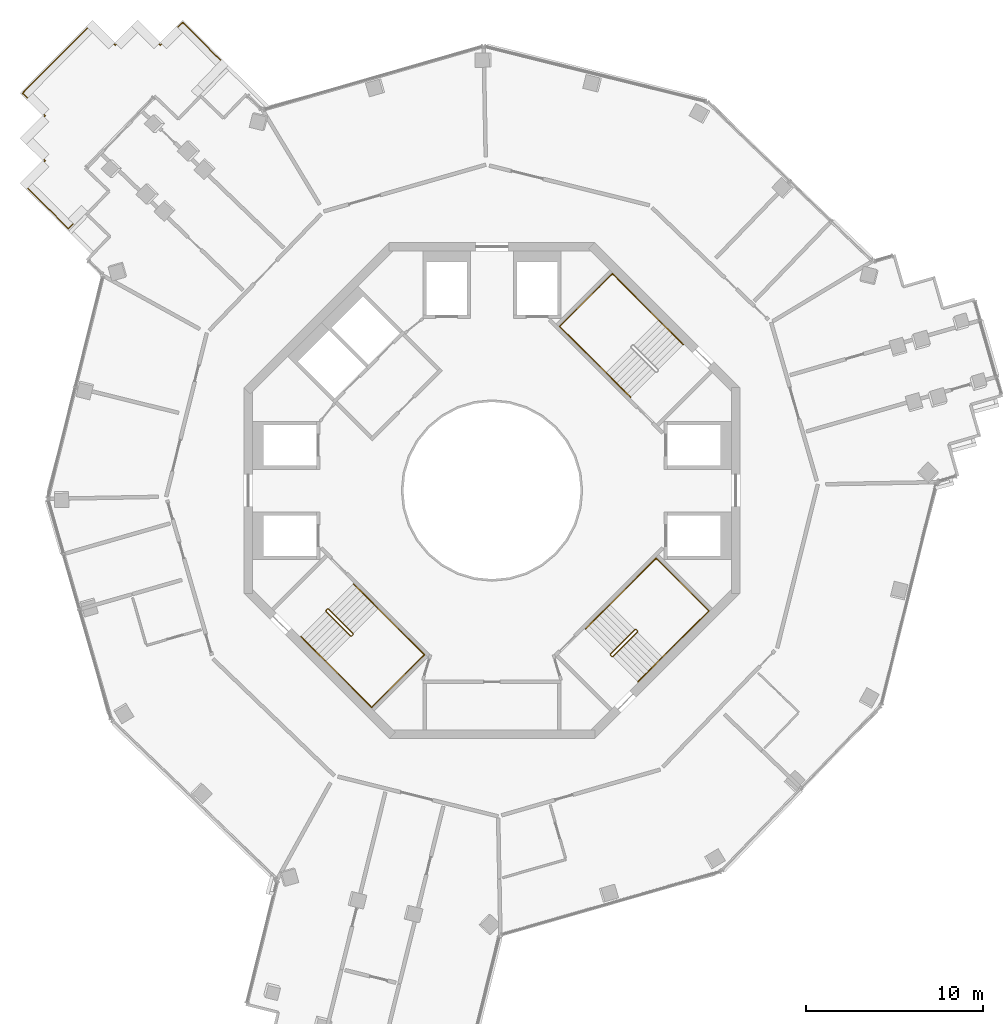
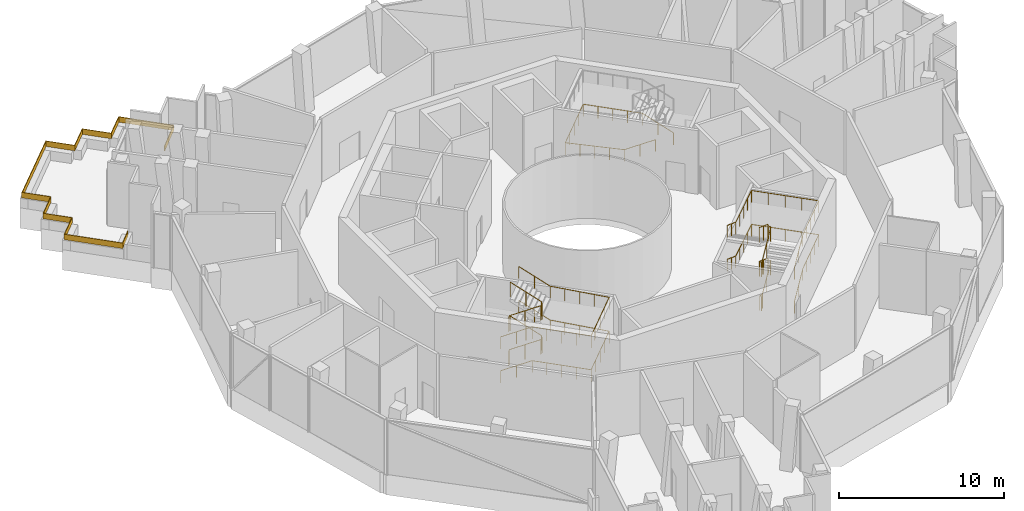
# One storey, part 16 of 17: 8 railings.
"""IFC4 building model written with IfcOpenShell, lengths in metres."""

from ifc_helpers import new_model, si_unit, direction, frame, origin, origin_2d, place, context, subcontext, project, spatial, polyline, circle, outline, extrude, material, layer, layer_set, type_object, element, save


model = new_model("IFC4")

# Units and contexts
model_context = context("Model", 3, precision=1e-05, world=origin(), true_north=direction((0.0, 1.0)))
body_context = subcontext(model_context, "Body", "Model", "MODEL_VIEW")
ifc_project = project(units=[si_unit("LENGTHUNIT", "METRE"), si_unit("AREAUNIT", "SQUARE_METRE"), si_unit("VOLUMEUNIT", "CUBIC_METRE"), si_unit("PLANEANGLEUNIT", "RADIAN"), si_unit("MASSUNIT", "GRAM", prefix="KILO")], contexts=[model_context])

# Site, building, storey
site_placement = place(None, origin())
site = spatial("IfcSite", under=ifc_project, at=site_placement, CompositionType="ELEMENT")
building_placement = place(site_placement, origin())
building = spatial("IfcBuilding", under=site, at=building_placement, Name="Verdalira Terraces Hotel", CompositionType="ELEMENT")
storey_placement = place(building_placement, frame((0.0, 0.0, 222.0)))
storey = spatial("IfcBuildingStorey", under=building, at=storey_placement, Name="L54", CompositionType="ELEMENT", Elevation=222.0)

# Railings
ifc_material_1 = material(Name="Laminated glass", Category="glass")
ifc_layer = layer(ifc_material_1, 0.0400390625)
ifc_layer_set = layer_set([ifc_layer], Name="Balcony glass guard 400")
railing_type_1 = type_object("IfcRailingType", Name="Balcony glass guard 400", PredefinedType="GUARDRAIL", material=ifc_layer_set)
railing_1_placement = place(storey_placement, frame((0.0, 0.0, 0.699951)))
element("IfcRailing", 1, at=railing_1_placement, inside=storey, type_object=railing_type_1, Name="Balcony glass guard", PredefinedType="GUARDRAIL", context=body_context, shape_type="SweptSolid", body=[
    extrude(outline(polyline([(-16.460938, 22.518311), (-15.046387, 23.987305), (-17.446289, 26.377197), (-18.716309, 25.101807), (-19.991943, 26.371826), (-21.261963, 25.096436), (-22.537354, 26.366455), (-26.460693, 22.426758), (-25.185303, 21.156738), (-26.455322, 19.881348), (-25.179932, 18.611084), (-26.449951, 17.335693), (-23.898438, 14.794678), (-22.991943, 15.736328), (-22.963135, 15.708496), (-23.897949, 14.737793), (-26.506592, 17.335449), (-25.236572, 18.611084), (-26.511963, 19.881104), (-25.241943, 21.156494), (-26.517334, 22.426758), (-22.537598, 26.423096), (-21.262207, 25.153076), (-19.991943, 26.428467), (-18.716553, 25.158447), (-17.446533, 26.433838), (-14.990234, 23.987793), (-16.432129, 22.490479), (-16.562988, 22.354736), (-16.591797, 22.382324), (-16.460938, 22.518311)])), origin(), (0.0, 0.0, 1.0), 0.400146),
])
ifc_material_2 = material(Name="Stainless steel", Category="steel")
railing_type_2 = type_object("IfcRailingType", Name="Stair guard 1100", PredefinedType="GUARDRAIL", material=ifc_material_2)
railing_2_placement = place(storey_placement, frame((-9.369141, -6.75293, 0.0)))
element("IfcRailing", 2, at=railing_2_placement, inside=storey, type_object=railing_type_2, Name="L54 ST2 stair guard 1", PredefinedType="GUARDRAIL", context=body_context, shape_type="SweptSolid", body=[
    extrude(circle(Radius=0.023926, at=origin_2d()), frame((0.0, 0.0, 1.076172), z_axis=(0.707106781, 0.707106781, 0.0), x_axis=(-0.707106781, 0.707106781, 0.0)), (0.0, 0.0, 1.0), 0.100098),
    extrude(circle(Radius=0.023926, at=origin_2d()), frame((0.070801, 0.070801, 1.076172), z_axis=(-0.318519619, -0.635940894, 0.702939849), x_axis=(0.894118129, -0.447831187, 0.0)), (0.0, 0.0, 1.0), 0.222168),
    extrude(circle(Radius=0.023926, at=origin_2d()), frame((0.0, -0.070557, 1.232422), z_axis=(0.61747733, -0.61747733, 0.48728174), x_axis=(0.707106781, 0.707106781, 0.0)), (0.0, 0.0, 1.0), 2.244629),
    extrude(circle(Radius=0.023926, at=origin_2d()), frame((1.385986, -1.456543, 2.326172), z_axis=(1.0, 0.0, 0.0), x_axis=(0.0, 1.0, 0.0)), (0.0, 0.0, 1.0), 0.070557),
    extrude(circle(Radius=0.023926, at=origin_2d()), frame((1.456543, -1.456543, 2.326172), z_axis=(0.70832698, 0.705884473, 0.0), x_axis=(-0.705884473, 0.70832698, 0.0)), (0.0, 0.0, 1.0), 0.099854),
    extrude(circle(Radius=0.023926, at=origin_2d()), frame((1.527344, -1.385986, 2.326172), z_axis=(0.0, 0.412730377, 0.910853246), x_axis=(-1.0, 0.0, 0.0)), (0.0, 0.0, 1.0), 0.171631),
    extrude(circle(Radius=0.023926, at=origin_2d()), frame((1.527344, -1.315186, 2.482422), z_axis=(-0.61747733, 0.61747733, 0.48728174), x_axis=(-0.707106781, -0.707106781, 0.0)), (0.0, 0.0, 1.0), 2.244629),
    extrude(circle(Radius=0.023926, at=origin_2d()), frame((0.141357, 0.070801, 3.576172), z_axis=(-1.0, 0.0, 0.0), x_axis=(0.0, -1.0, 0.0)), (0.0, 0.0, 1.0), 0.070557),
    extrude(circle(Radius=0.023926, at=origin_2d()), frame((0.070801, 0.070801, 3.576172), z_axis=(-0.707106781, -0.707106781, 0.0), x_axis=(0.707106781, -0.707106781, 0.0)), (0.0, 0.0, 1.0), 0.100098),
    extrude(circle(Radius=0.023926, at=origin_2d()), frame((0.0, 0.0, 3.576172), z_axis=(0.0, -0.411548567, 0.91138783), x_axis=(1.0, 0.0, 0.0)), (0.0, 0.0, 1.0), 0.171387),
    extrude(circle(Radius=0.023926, at=origin_2d()), frame((0.0, -0.070557, 3.732422), z_axis=(0.61747733, -0.61747733, 0.48728174), x_axis=(0.707106781, 0.707106781, 0.0)), (0.0, 0.0, 1.0), 2.244629),
    extrude(circle(Radius=0.023926, at=origin_2d()), frame((1.385986, -1.456543, 4.826172), z_axis=(1.0, 0.0, 0.0), x_axis=(0.0, 1.0, 0.0)), (0.0, 0.0, 1.0), 0.070557),
    extrude(circle(Radius=0.023926, at=origin_2d()), frame((1.456543, -1.456543, 4.826172), z_axis=(0.70832698, 0.705884473, 0.0), x_axis=(-0.705884473, 0.70832698, 0.0)), (0.0, 0.0, 1.0), 0.099854),
    extrude(circle(Radius=0.023926, at=origin_2d()), frame((1.527344, -1.385986, 4.826172), z_axis=(0.0, 0.412730377, 0.910853246), x_axis=(-1.0, 0.0, 0.0)), (0.0, 0.0, 1.0), 0.171631),
    extrude(circle(Radius=0.023926, at=origin_2d()), frame((1.527344, -1.315186, 4.982422), z_axis=(-0.61747733, 0.61747733, 0.48728174), x_axis=(-0.707106781, -0.707106781, 0.0)), (0.0, 0.0, 1.0), 2.244629),
    extrude(circle(Radius=0.020996, at=origin_2d()), origin(), (0.0, 0.0, 1.0), 1.052002),
    extrude(circle(Radius=0.020996, at=origin_2d()), frame((0.070801, 0.070801, 0.0)), (0.0, 0.0, 1.0), 1.052002),
    extrude(circle(Radius=0.020996, at=origin_2d()), frame((0.0, -0.070557, 0.15625)), (0.0, 0.0, 1.0), 1.052002),
    extrude(circle(Radius=0.020996, at=origin_2d()), frame((0.692871, -0.763672, 0.703125)), (0.0, 0.0, 1.0), 1.052002),
    extrude(circle(Radius=0.020996, at=origin_2d()), frame((1.385986, -1.456543, 1.25)), (0.0, 0.0, 1.0), 1.052002),
    extrude(circle(Radius=0.020996, at=origin_2d()), frame((1.456543, -1.456543, 1.25)), (0.0, 0.0, 1.0), 1.052002),
    extrude(circle(Radius=0.020996, at=origin_2d()), frame((1.527344, -1.385986, 1.25)), (0.0, 0.0, 1.0), 1.052002),
    extrude(circle(Radius=0.020996, at=origin_2d()), frame((1.527344, -1.315186, 1.40625)), (0.0, 0.0, 1.0), 1.052002),
    extrude(circle(Radius=0.020996, at=origin_2d()), frame((0.834473, -0.62207, 1.953125)), (0.0, 0.0, 1.0), 1.052002),
    extrude(circle(Radius=0.020996, at=origin_2d()), frame((0.141357, 0.070801, 2.5)), (0.0, 0.0, 1.0), 1.052002),
    extrude(circle(Radius=0.020996, at=origin_2d()), frame((0.070801, 0.070801, 2.5)), (0.0, 0.0, 1.0), 1.052002),
    extrude(circle(Radius=0.020996, at=origin_2d()), frame((0.0, 0.0, 2.5)), (0.0, 0.0, 1.0), 1.052002),
    extrude(circle(Radius=0.020996, at=origin_2d()), frame((0.0, -0.070557, 2.65625)), (0.0, 0.0, 1.0), 1.052002),
    extrude(circle(Radius=0.020996, at=origin_2d()), frame((0.692871, -0.763672, 3.203125)), (0.0, 0.0, 1.0), 1.052002),
    extrude(circle(Radius=0.020996, at=origin_2d()), frame((1.385986, -1.456543, 3.75)), (0.0, 0.0, 1.0), 1.052002),
    extrude(circle(Radius=0.020996, at=origin_2d()), frame((1.456543, -1.456543, 3.75)), (0.0, 0.0, 1.0), 1.052002),
    extrude(circle(Radius=0.020996, at=origin_2d()), frame((1.527344, -1.385986, 3.75)), (0.0, 0.0, 1.0), 1.052002),
    extrude(circle(Radius=0.020996, at=origin_2d()), frame((1.527344, -1.315186, 3.90625)), (0.0, 0.0, 1.0), 1.052002),
    extrude(circle(Radius=0.020996, at=origin_2d()), frame((0.834473, -0.62207, 4.453125)), (0.0, 0.0, 1.0), 1.052002),
    extrude(circle(Radius=0.020996, at=origin_2d()), frame((0.141357, 0.070801, 5.0)), (0.0, 0.0, 1.0), 1.052002),
])
railing_3_placement = place(storey_placement, frame((6.75293, -9.369141, 0.0)))
element("IfcRailing", 3, at=railing_3_placement, inside=storey, type_object=railing_type_2, Name="L54 ST3 stair guard 1", PredefinedType="GUARDRAIL", context=body_context, shape_type="SweptSolid", body=[
    extrude(circle(Radius=0.023926, at=origin_2d()), frame((0.0, 0.0, 1.076172), z_axis=(-0.707106781, 0.707106781, 0.0), x_axis=(-0.707106781, -0.707106781, 0.0)), (0.0, 0.0, 1.0), 0.100098),
    extrude(circle(Radius=0.023926, at=origin_2d()), frame((-0.070801, 0.070801, 1.076172), z_axis=(0.635940894, -0.318519619, 0.702939849), x_axis=(0.447831187, 0.894118129, 0.0)), (0.0, 0.0, 1.0), 0.222168),
    extrude(circle(Radius=0.023926, at=origin_2d()), frame((0.070557, 0.0, 1.232422), z_axis=(0.61747733, 0.61747733, 0.48728174), x_axis=(-0.707106781, 0.707106781, 0.0)), (0.0, 0.0, 1.0), 2.244629),
    extrude(circle(Radius=0.023926, at=origin_2d()), frame((1.456543, 1.385986, 2.326172), z_axis=(0.0, 1.0, 0.0), x_axis=(-1.0, 0.0, 0.0)), (0.0, 0.0, 1.0), 0.070557),
    extrude(circle(Radius=0.023926, at=origin_2d()), frame((1.456543, 1.456543, 2.326172), z_axis=(-0.705884473, 0.70832698, 0.0), x_axis=(-0.70832698, -0.705884473, 0.0)), (0.0, 0.0, 1.0), 0.099854),
    extrude(circle(Radius=0.023926, at=origin_2d()), frame((1.385986, 1.527344, 2.326172), z_axis=(-0.412730377, 0.0, 0.910853246), x_axis=(0.0, -1.0, 0.0)), (0.0, 0.0, 1.0), 0.171631),
    extrude(circle(Radius=0.023926, at=origin_2d()), frame((1.315186, 1.527344, 2.482422), z_axis=(-0.61747733, -0.61747733, 0.48728174), x_axis=(0.707106781, -0.707106781, 0.0)), (0.0, 0.0, 1.0), 2.244629),
    extrude(circle(Radius=0.023926, at=origin_2d()), frame((-0.070801, 0.141357, 3.576172), z_axis=(0.0, -1.0, 0.0), x_axis=(1.0, 0.0, 0.0)), (0.0, 0.0, 1.0), 0.070557),
    extrude(circle(Radius=0.023926, at=origin_2d()), frame((-0.070801, 0.070801, 3.576172), z_axis=(0.707106781, -0.707106781, 0.0), x_axis=(0.707106781, 0.707106781, 0.0)), (0.0, 0.0, 1.0), 0.100098),
    extrude(circle(Radius=0.023926, at=origin_2d()), frame((0.0, 0.0, 3.576172), z_axis=(0.411548567, 0.0, 0.91138783), x_axis=(0.0, 1.0, 0.0)), (0.0, 0.0, 1.0), 0.171387),
    extrude(circle(Radius=0.023926, at=origin_2d()), frame((0.070557, 0.0, 3.732422), z_axis=(0.61747733, 0.61747733, 0.48728174), x_axis=(-0.707106781, 0.707106781, 0.0)), (0.0, 0.0, 1.0), 2.244629),
    extrude(circle(Radius=0.023926, at=origin_2d()), frame((1.456543, 1.385986, 4.826172), z_axis=(0.0, 1.0, 0.0), x_axis=(-1.0, 0.0, 0.0)), (0.0, 0.0, 1.0), 0.070557),
    extrude(circle(Radius=0.023926, at=origin_2d()), frame((1.456543, 1.456543, 4.826172), z_axis=(-0.705884473, 0.70832698, 0.0), x_axis=(-0.70832698, -0.705884473, 0.0)), (0.0, 0.0, 1.0), 0.099854),
    extrude(circle(Radius=0.023926, at=origin_2d()), frame((1.385986, 1.527344, 4.826172), z_axis=(-0.412730377, 0.0, 0.910853246), x_axis=(0.0, -1.0, 0.0)), (0.0, 0.0, 1.0), 0.171631),
    extrude(circle(Radius=0.023926, at=origin_2d()), frame((1.315186, 1.527344, 4.982422), z_axis=(-0.61747733, -0.61747733, 0.48728174), x_axis=(0.707106781, -0.707106781, 0.0)), (0.0, 0.0, 1.0), 2.244629),
    extrude(circle(Radius=0.020996, at=origin_2d()), origin(), (0.0, 0.0, 1.0), 1.052002),
    extrude(circle(Radius=0.020996, at=origin_2d()), frame((-0.070801, 0.070801, 0.0)), (0.0, 0.0, 1.0), 1.052002),
    extrude(circle(Radius=0.020996, at=origin_2d()), frame((0.070557, 0.0, 0.15625)), (0.0, 0.0, 1.0), 1.052002),
    extrude(circle(Radius=0.020996, at=origin_2d()), frame((0.763672, 0.692871, 0.703125)), (0.0, 0.0, 1.0), 1.052002),
    extrude(circle(Radius=0.020996, at=origin_2d()), frame((1.456543, 1.385986, 1.25)), (0.0, 0.0, 1.0), 1.052002),
    extrude(circle(Radius=0.020996, at=origin_2d()), frame((1.456543, 1.456543, 1.25)), (0.0, 0.0, 1.0), 1.052002),
    extrude(circle(Radius=0.020996, at=origin_2d()), frame((1.385986, 1.527344, 1.25)), (0.0, 0.0, 1.0), 1.052002),
    extrude(circle(Radius=0.020996, at=origin_2d()), frame((1.315186, 1.527344, 1.40625)), (0.0, 0.0, 1.0), 1.052002),
    extrude(circle(Radius=0.020996, at=origin_2d()), frame((0.62207, 0.834473, 1.953125)), (0.0, 0.0, 1.0), 1.052002),
    extrude(circle(Radius=0.020996, at=origin_2d()), frame((-0.070801, 0.141357, 2.5)), (0.0, 0.0, 1.0), 1.052002),
    extrude(circle(Radius=0.020996, at=origin_2d()), frame((-0.070801, 0.070801, 2.5)), (0.0, 0.0, 1.0), 1.052002),
    extrude(circle(Radius=0.020996, at=origin_2d()), frame((0.0, 0.0, 2.5)), (0.0, 0.0, 1.0), 1.052002),
    extrude(circle(Radius=0.020996, at=origin_2d()), frame((0.070557, 0.0, 2.65625)), (0.0, 0.0, 1.0), 1.052002),
    extrude(circle(Radius=0.020996, at=origin_2d()), frame((0.763672, 0.692871, 3.203125)), (0.0, 0.0, 1.0), 1.052002),
    extrude(circle(Radius=0.020996, at=origin_2d()), frame((1.456543, 1.385986, 3.75)), (0.0, 0.0, 1.0), 1.052002),
    extrude(circle(Radius=0.020996, at=origin_2d()), frame((1.456543, 1.456543, 3.75)), (0.0, 0.0, 1.0), 1.052002),
    extrude(circle(Radius=0.020996, at=origin_2d()), frame((1.385986, 1.527344, 3.75)), (0.0, 0.0, 1.0), 1.052002),
    extrude(circle(Radius=0.020996, at=origin_2d()), frame((1.315186, 1.527344, 3.90625)), (0.0, 0.0, 1.0), 1.052002),
    extrude(circle(Radius=0.020996, at=origin_2d()), frame((0.62207, 0.834473, 4.453125)), (0.0, 0.0, 1.0), 1.052002),
    extrude(circle(Radius=0.020996, at=origin_2d()), frame((-0.070801, 0.141357, 5.0)), (0.0, 0.0, 1.0), 1.052002),
])
ifc_material_3 = material(Name="Stainless steel", Category="steel")
railing_type_3 = type_object("IfcRailingType", Name="Stair handrail 900", PredefinedType="HANDRAIL", material=ifc_material_3)
railing_4_placement = place(storey_placement, frame((10.783447, 8.237793, 0.15625)))
element("IfcRailing", 4, at=railing_4_placement, inside=storey, type_object=railing_type_3, Name="L54 ST1 stair handrail 1", PredefinedType="HANDRAIL", context=body_context, shape_type="SweptSolid", body=[
    extrude(circle(Radius=0.023926, at=origin_2d()), frame((0.0, 0.0, 0.875977), z_axis=(-0.61747733, 0.61747733, 0.48728174), x_axis=(-0.707106781, -0.707106781, 0.0)), (0.0, 0.0, 1.0), 2.244629),
    extrude(circle(Radius=0.023926, at=origin_2d()), frame((-1.385986, 1.385986, 1.969727), z_axis=(-0.707106781, 0.707106781, 0.0), x_axis=(-0.707106781, -0.707106781, 0.0)), (0.0, 0.0, 1.0), 3.689941),
    extrude(circle(Radius=0.023926, at=origin_2d()), frame((-3.995117, 3.995117, 1.969727), z_axis=(-0.707135845, -0.707077716, 0.0), x_axis=(0.707077716, -0.707135845, 0.0)), (0.0, 0.0, 1.0), 4.199951),
    extrude(circle(Radius=0.023926, at=origin_2d()), frame((-6.965088, 1.025391, 1.969727), z_axis=(0.706440663, -0.706506766, 0.042305794), x_axis=(0.707139861, 0.707073699, 0.0)), (0.0, 0.0, 1.0), 3.693359),
    extrude(circle(Radius=0.023926, at=origin_2d()), frame((-4.355957, -1.583984, 2.125977), z_axis=(0.617518801, -0.617410026, 0.487314467), x_axis=(0.707044495, 0.707169062, 0.0)), (0.0, 0.0, 1.0), 2.244385),
    extrude(circle(Radius=0.020996, at=origin_2d()), origin(), (0.0, 0.0, 1.0), 0.851807),
    extrude(circle(Radius=0.020996, at=origin_2d()), frame((-0.692871, 0.692871, 0.546875)), (0.0, 0.0, 1.0), 0.851807),
    extrude(circle(Radius=0.020996, at=origin_2d()), frame((-1.385986, 1.385986, 1.09375)), (0.0, 0.0, 1.0), 0.851807),
    extrude(circle(Radius=0.020996, at=origin_2d()), frame((-2.03833, 2.03833, 1.09375)), (0.0, 0.0, 1.0), 0.851807),
    extrude(circle(Radius=0.020996, at=origin_2d()), frame((-2.69043, 2.69043, 1.09375)), (0.0, 0.0, 1.0), 0.851807),
    extrude(circle(Radius=0.020996, at=origin_2d()), frame((-3.342773, 3.342773, 1.09375)), (0.0, 0.0, 1.0), 0.851807),
    extrude(circle(Radius=0.020996, at=origin_2d()), frame((-3.995117, 3.995117, 1.09375)), (0.0, 0.0, 1.0), 0.851807),
    extrude(circle(Radius=0.020996, at=origin_2d()), frame((-4.737549, 3.252686, 1.09375)), (0.0, 0.0, 1.0), 0.851807),
    extrude(circle(Radius=0.020996, at=origin_2d()), frame((-5.47998, 2.510254, 1.09375)), (0.0, 0.0, 1.0), 0.851807),
    extrude(circle(Radius=0.020996, at=origin_2d()), frame((-6.222656, 1.767822, 1.09375)), (0.0, 0.0, 1.0), 0.851807),
    extrude(circle(Radius=0.020996, at=origin_2d()), frame((-6.965088, 1.025391, 1.09375)), (0.0, 0.0, 1.0), 0.851807),
    extrude(circle(Radius=0.020996, at=origin_2d()), frame((-6.312744, 0.373047, 1.132812)), (0.0, 0.0, 1.0), 0.851807),
    extrude(circle(Radius=0.020996, at=origin_2d()), frame((-5.660645, -0.279297, 1.171875)), (0.0, 0.0, 1.0), 0.851807),
    extrude(circle(Radius=0.020996, at=origin_2d()), frame((-5.008301, -0.931641, 1.210938)), (0.0, 0.0, 1.0), 0.851807),
    extrude(circle(Radius=0.020996, at=origin_2d()), frame((-4.355957, -1.583984, 1.25)), (0.0, 0.0, 1.0), 0.851807),
    extrude(circle(Radius=0.020996, at=origin_2d()), frame((-3.663086, -2.276855, 1.796875)), (0.0, 0.0, 1.0), 0.851807),
    extrude(circle(Radius=0.020996, at=origin_2d()), frame((-2.969971, -2.969727, 2.34375)), (0.0, 0.0, 1.0), 0.851807),
])
railing_5_placement = place(storey_placement, frame((-10.783447, -8.237793, 0.15625)))
element("IfcRailing", 5, at=railing_5_placement, inside=storey, type_object=railing_type_3, Name="L54 ST2 stair handrail 1", PredefinedType="HANDRAIL", context=body_context, shape_type="SweptSolid", body=[
    extrude(circle(Radius=0.023926, at=origin_2d()), frame((0.0, 0.0, 0.875977), z_axis=(0.61747733, -0.61747733, 0.48728174), x_axis=(0.707106781, 0.707106781, 0.0)), (0.0, 0.0, 1.0), 2.244629),
    extrude(circle(Radius=0.023926, at=origin_2d()), frame((1.385986, -1.385986, 1.969727), z_axis=(0.707106781, -0.707106781, 0.0), x_axis=(0.707106781, 0.707106781, 0.0)), (0.0, 0.0, 1.0), 3.689941),
    extrude(circle(Radius=0.023926, at=origin_2d()), frame((3.995117, -3.995117, 1.969727), z_axis=(0.707135845, 0.707077716, 0.0), x_axis=(-0.707077716, 0.707135845, 0.0)), (0.0, 0.0, 1.0), 4.199951),
    extrude(circle(Radius=0.023926, at=origin_2d()), frame((6.965088, -1.025391, 1.969727), z_axis=(-0.706440663, 0.706506766, 0.042305794), x_axis=(-0.707139861, -0.707073699, 0.0)), (0.0, 0.0, 1.0), 3.693359),
    extrude(circle(Radius=0.023926, at=origin_2d()), frame((4.355957, 1.583984, 2.125977), z_axis=(-0.617518801, 0.617410026, 0.487314467), x_axis=(-0.707044495, -0.707169062, 0.0)), (0.0, 0.0, 1.0), 2.244385),
    extrude(circle(Radius=0.020996, at=origin_2d()), origin(), (0.0, 0.0, 1.0), 0.851807),
    extrude(circle(Radius=0.020996, at=origin_2d()), frame((0.692871, -0.692871, 0.546875)), (0.0, 0.0, 1.0), 0.851807),
    extrude(circle(Radius=0.020996, at=origin_2d()), frame((1.385986, -1.385986, 1.09375)), (0.0, 0.0, 1.0), 0.851807),
    extrude(circle(Radius=0.020996, at=origin_2d()), frame((2.03833, -2.03833, 1.09375)), (0.0, 0.0, 1.0), 0.851807),
    extrude(circle(Radius=0.020996, at=origin_2d()), frame((2.69043, -2.69043, 1.09375)), (0.0, 0.0, 1.0), 0.851807),
    extrude(circle(Radius=0.020996, at=origin_2d()), frame((3.342773, -3.342773, 1.09375)), (0.0, 0.0, 1.0), 0.851807),
    extrude(circle(Radius=0.020996, at=origin_2d()), frame((3.995117, -3.995117, 1.09375)), (0.0, 0.0, 1.0), 0.851807),
    extrude(circle(Radius=0.020996, at=origin_2d()), frame((4.737549, -3.252686, 1.09375)), (0.0, 0.0, 1.0), 0.851807),
    extrude(circle(Radius=0.020996, at=origin_2d()), frame((5.47998, -2.510254, 1.09375)), (0.0, 0.0, 1.0), 0.851807),
    extrude(circle(Radius=0.020996, at=origin_2d()), frame((6.222656, -1.767822, 1.09375)), (0.0, 0.0, 1.0), 0.851807),
    extrude(circle(Radius=0.020996, at=origin_2d()), frame((6.965088, -1.025391, 1.09375)), (0.0, 0.0, 1.0), 0.851807),
    extrude(circle(Radius=0.020996, at=origin_2d()), frame((6.312744, -0.373047, 1.132812)), (0.0, 0.0, 1.0), 0.851807),
    extrude(circle(Radius=0.020996, at=origin_2d()), frame((5.660645, 0.279297, 1.171875)), (0.0, 0.0, 1.0), 0.851807),
    extrude(circle(Radius=0.020996, at=origin_2d()), frame((5.008301, 0.931641, 1.210938)), (0.0, 0.0, 1.0), 0.851807),
    extrude(circle(Radius=0.020996, at=origin_2d()), frame((4.355957, 1.583984, 1.25)), (0.0, 0.0, 1.0), 0.851807),
    extrude(circle(Radius=0.020996, at=origin_2d()), frame((3.663086, 2.276855, 1.796875)), (0.0, 0.0, 1.0), 0.851807),
    extrude(circle(Radius=0.020996, at=origin_2d()), frame((2.969971, 2.969727, 2.34375)), (0.0, 0.0, 1.0), 0.851807),
])
railing_6_placement = place(storey_placement, frame((-10.783447, -8.237793, 2.65625)))
element("IfcRailing", 6, at=railing_6_placement, inside=storey, type_object=railing_type_3, Name="L54 ST2 stair handrail 2", PredefinedType="HANDRAIL", context=body_context, shape_type="SweptSolid", body=[
    extrude(circle(Radius=0.023926, at=origin_2d()), frame((0.0, 0.0, 0.875977), z_axis=(0.61747733, -0.61747733, 0.48728174), x_axis=(0.707106781, 0.707106781, 0.0)), (0.0, 0.0, 1.0), 2.244629),
    extrude(circle(Radius=0.023926, at=origin_2d()), frame((1.385986, -1.385986, 1.969727), z_axis=(0.707106781, -0.707106781, 0.0), x_axis=(0.707106781, 0.707106781, 0.0)), (0.0, 0.0, 1.0), 3.689941),
    extrude(circle(Radius=0.023926, at=origin_2d()), frame((3.995117, -3.995117, 1.969727), z_axis=(0.707135845, 0.707077716, 0.0), x_axis=(-0.707077716, 0.707135845, 0.0)), (0.0, 0.0, 1.0), 4.199951),
    extrude(circle(Radius=0.023926, at=origin_2d()), frame((6.965088, -1.025391, 1.969727), z_axis=(-0.706440663, 0.706506766, 0.042305794), x_axis=(-0.707139861, -0.707073699, 0.0)), (0.0, 0.0, 1.0), 3.693359),
    extrude(circle(Radius=0.023926, at=origin_2d()), frame((4.355957, 1.583984, 2.125977), z_axis=(-0.617518801, 0.617410026, 0.487314467), x_axis=(-0.707044495, -0.707169062, 0.0)), (0.0, 0.0, 1.0), 2.244385),
    extrude(circle(Radius=0.020996, at=origin_2d()), origin(), (0.0, 0.0, 1.0), 0.851807),
    extrude(circle(Radius=0.020996, at=origin_2d()), frame((0.692871, -0.692871, 0.546875)), (0.0, 0.0, 1.0), 0.851807),
    extrude(circle(Radius=0.020996, at=origin_2d()), frame((1.385986, -1.385986, 1.09375)), (0.0, 0.0, 1.0), 0.851807),
    extrude(circle(Radius=0.020996, at=origin_2d()), frame((2.03833, -2.03833, 1.09375)), (0.0, 0.0, 1.0), 0.851807),
    extrude(circle(Radius=0.020996, at=origin_2d()), frame((2.69043, -2.69043, 1.09375)), (0.0, 0.0, 1.0), 0.851807),
    extrude(circle(Radius=0.020996, at=origin_2d()), frame((3.342773, -3.342773, 1.09375)), (0.0, 0.0, 1.0), 0.851807),
    extrude(circle(Radius=0.020996, at=origin_2d()), frame((3.995117, -3.995117, 1.09375)), (0.0, 0.0, 1.0), 0.851807),
    extrude(circle(Radius=0.020996, at=origin_2d()), frame((4.737549, -3.252686, 1.09375)), (0.0, 0.0, 1.0), 0.851807),
    extrude(circle(Radius=0.020996, at=origin_2d()), frame((5.47998, -2.510254, 1.09375)), (0.0, 0.0, 1.0), 0.851807),
    extrude(circle(Radius=0.020996, at=origin_2d()), frame((6.222656, -1.767822, 1.09375)), (0.0, 0.0, 1.0), 0.851807),
    extrude(circle(Radius=0.020996, at=origin_2d()), frame((6.965088, -1.025391, 1.09375)), (0.0, 0.0, 1.0), 0.851807),
    extrude(circle(Radius=0.020996, at=origin_2d()), frame((6.312744, -0.373047, 1.132812)), (0.0, 0.0, 1.0), 0.851807),
    extrude(circle(Radius=0.020996, at=origin_2d()), frame((5.660645, 0.279297, 1.171875)), (0.0, 0.0, 1.0), 0.851807),
    extrude(circle(Radius=0.020996, at=origin_2d()), frame((5.008301, 0.931641, 1.210938)), (0.0, 0.0, 1.0), 0.851807),
    extrude(circle(Radius=0.020996, at=origin_2d()), frame((4.355957, 1.583984, 1.25)), (0.0, 0.0, 1.0), 0.851807),
    extrude(circle(Radius=0.020996, at=origin_2d()), frame((3.663086, 2.276855, 1.796875)), (0.0, 0.0, 1.0), 0.851807),
    extrude(circle(Radius=0.020996, at=origin_2d()), frame((2.969971, 2.969727, 2.34375)), (0.0, 0.0, 1.0), 0.851807),
])
railing_7_placement = place(storey_placement, frame((8.237793, -10.783447, 0.15625)))
element("IfcRailing", 7, at=railing_7_placement, inside=storey, type_object=railing_type_3, Name="L54 ST3 stair handrail 1", PredefinedType="HANDRAIL", context=body_context, shape_type="SweptSolid", body=[
    extrude(circle(Radius=0.023926, at=origin_2d()), frame((0.0, 0.0, 0.875977), z_axis=(0.61747733, 0.61747733, 0.48728174), x_axis=(-0.707106781, 0.707106781, 0.0)), (0.0, 0.0, 1.0), 2.244629),
    extrude(circle(Radius=0.023926, at=origin_2d()), frame((1.385986, 1.385986, 1.969727), z_axis=(0.707106781, 0.707106781, 0.0), x_axis=(-0.707106781, 0.707106781, 0.0)), (0.0, 0.0, 1.0), 3.689941),
    extrude(circle(Radius=0.023926, at=origin_2d()), frame((3.995117, 3.995117, 1.969727), z_axis=(-0.707077716, 0.707135845, 0.0), x_axis=(-0.707135845, -0.707077716, 0.0)), (0.0, 0.0, 1.0), 4.199951),
    extrude(circle(Radius=0.023926, at=origin_2d()), frame((1.025391, 6.965088, 1.969727), z_axis=(-0.706506766, -0.706440663, 0.042305794), x_axis=(0.707073699, -0.707139861, 0.0)), (0.0, 0.0, 1.0), 3.693359),
    extrude(circle(Radius=0.023926, at=origin_2d()), frame((-1.583984, 4.355957, 2.125977), z_axis=(-0.617410026, -0.617518801, 0.487314467), x_axis=(0.707169062, -0.707044495, 0.0)), (0.0, 0.0, 1.0), 2.244385),
    extrude(circle(Radius=0.020996, at=origin_2d()), origin(), (0.0, 0.0, 1.0), 0.851807),
    extrude(circle(Radius=0.020996, at=origin_2d()), frame((0.692871, 0.692871, 0.546875)), (0.0, 0.0, 1.0), 0.851807),
    extrude(circle(Radius=0.020996, at=origin_2d()), frame((1.385986, 1.385986, 1.09375)), (0.0, 0.0, 1.0), 0.851807),
    extrude(circle(Radius=0.020996, at=origin_2d()), frame((2.03833, 2.03833, 1.09375)), (0.0, 0.0, 1.0), 0.851807),
    extrude(circle(Radius=0.020996, at=origin_2d()), frame((2.69043, 2.69043, 1.09375)), (0.0, 0.0, 1.0), 0.851807),
    extrude(circle(Radius=0.020996, at=origin_2d()), frame((3.342773, 3.342773, 1.09375)), (0.0, 0.0, 1.0), 0.851807),
    extrude(circle(Radius=0.020996, at=origin_2d()), frame((3.995117, 3.995117, 1.09375)), (0.0, 0.0, 1.0), 0.851807),
    extrude(circle(Radius=0.020996, at=origin_2d()), frame((3.252686, 4.737549, 1.09375)), (0.0, 0.0, 1.0), 0.851807),
    extrude(circle(Radius=0.020996, at=origin_2d()), frame((2.510254, 5.47998, 1.09375)), (0.0, 0.0, 1.0), 0.851807),
    extrude(circle(Radius=0.020996, at=origin_2d()), frame((1.767822, 6.222656, 1.09375)), (0.0, 0.0, 1.0), 0.851807),
    extrude(circle(Radius=0.020996, at=origin_2d()), frame((1.025391, 6.965088, 1.09375)), (0.0, 0.0, 1.0), 0.851807),
    extrude(circle(Radius=0.020996, at=origin_2d()), frame((0.373047, 6.312744, 1.132812)), (0.0, 0.0, 1.0), 0.851807),
    extrude(circle(Radius=0.020996, at=origin_2d()), frame((-0.279297, 5.660645, 1.171875)), (0.0, 0.0, 1.0), 0.851807),
    extrude(circle(Radius=0.020996, at=origin_2d()), frame((-0.931641, 5.008301, 1.210938)), (0.0, 0.0, 1.0), 0.851807),
    extrude(circle(Radius=0.020996, at=origin_2d()), frame((-1.583984, 4.355957, 1.25)), (0.0, 0.0, 1.0), 0.851807),
    extrude(circle(Radius=0.020996, at=origin_2d()), frame((-2.276855, 3.663086, 1.796875)), (0.0, 0.0, 1.0), 0.851807),
    extrude(circle(Radius=0.020996, at=origin_2d()), frame((-2.969727, 2.969971, 2.34375)), (0.0, 0.0, 1.0), 0.851807),
])
railing_8_placement = place(storey_placement, frame((8.237793, -10.783447, 2.65625)))
element("IfcRailing", 8, at=railing_8_placement, inside=storey, type_object=railing_type_3, Name="L54 ST3 stair handrail 2", PredefinedType="HANDRAIL", context=body_context, shape_type="SweptSolid", body=[
    extrude(circle(Radius=0.023926, at=origin_2d()), frame((0.0, 0.0, 0.875977), z_axis=(0.61747733, 0.61747733, 0.48728174), x_axis=(-0.707106781, 0.707106781, 0.0)), (0.0, 0.0, 1.0), 2.244629),
    extrude(circle(Radius=0.023926, at=origin_2d()), frame((1.385986, 1.385986, 1.969727), z_axis=(0.707106781, 0.707106781, 0.0), x_axis=(-0.707106781, 0.707106781, 0.0)), (0.0, 0.0, 1.0), 3.689941),
    extrude(circle(Radius=0.023926, at=origin_2d()), frame((3.995117, 3.995117, 1.969727), z_axis=(-0.707077716, 0.707135845, 0.0), x_axis=(-0.707135845, -0.707077716, 0.0)), (0.0, 0.0, 1.0), 4.199951),
    extrude(circle(Radius=0.023926, at=origin_2d()), frame((1.025391, 6.965088, 1.969727), z_axis=(-0.706506766, -0.706440663, 0.042305794), x_axis=(0.707073699, -0.707139861, 0.0)), (0.0, 0.0, 1.0), 3.693359),
    extrude(circle(Radius=0.023926, at=origin_2d()), frame((-1.583984, 4.355957, 2.125977), z_axis=(-0.617410026, -0.617518801, 0.487314467), x_axis=(0.707169062, -0.707044495, 0.0)), (0.0, 0.0, 1.0), 2.244385),
    extrude(circle(Radius=0.020996, at=origin_2d()), origin(), (0.0, 0.0, 1.0), 0.851807),
    extrude(circle(Radius=0.020996, at=origin_2d()), frame((0.692871, 0.692871, 0.546875)), (0.0, 0.0, 1.0), 0.851807),
    extrude(circle(Radius=0.020996, at=origin_2d()), frame((1.385986, 1.385986, 1.09375)), (0.0, 0.0, 1.0), 0.851807),
    extrude(circle(Radius=0.020996, at=origin_2d()), frame((2.03833, 2.03833, 1.09375)), (0.0, 0.0, 1.0), 0.851807),
    extrude(circle(Radius=0.020996, at=origin_2d()), frame((2.69043, 2.69043, 1.09375)), (0.0, 0.0, 1.0), 0.851807),
    extrude(circle(Radius=0.020996, at=origin_2d()), frame((3.342773, 3.342773, 1.09375)), (0.0, 0.0, 1.0), 0.851807),
    extrude(circle(Radius=0.020996, at=origin_2d()), frame((3.995117, 3.995117, 1.09375)), (0.0, 0.0, 1.0), 0.851807),
    extrude(circle(Radius=0.020996, at=origin_2d()), frame((3.252686, 4.737549, 1.09375)), (0.0, 0.0, 1.0), 0.851807),
    extrude(circle(Radius=0.020996, at=origin_2d()), frame((2.510254, 5.47998, 1.09375)), (0.0, 0.0, 1.0), 0.851807),
    extrude(circle(Radius=0.020996, at=origin_2d()), frame((1.767822, 6.222656, 1.09375)), (0.0, 0.0, 1.0), 0.851807),
    extrude(circle(Radius=0.020996, at=origin_2d()), frame((1.025391, 6.965088, 1.09375)), (0.0, 0.0, 1.0), 0.851807),
    extrude(circle(Radius=0.020996, at=origin_2d()), frame((0.373047, 6.312744, 1.132812)), (0.0, 0.0, 1.0), 0.851807),
    extrude(circle(Radius=0.020996, at=origin_2d()), frame((-0.279297, 5.660645, 1.171875)), (0.0, 0.0, 1.0), 0.851807),
    extrude(circle(Radius=0.020996, at=origin_2d()), frame((-0.931641, 5.008301, 1.210938)), (0.0, 0.0, 1.0), 0.851807),
    extrude(circle(Radius=0.020996, at=origin_2d()), frame((-1.583984, 4.355957, 1.25)), (0.0, 0.0, 1.0), 0.851807),
    extrude(circle(Radius=0.020996, at=origin_2d()), frame((-2.276855, 3.663086, 1.796875)), (0.0, 0.0, 1.0), 0.851807),
    extrude(circle(Radius=0.020996, at=origin_2d()), frame((-2.969727, 2.969971, 2.34375)), (0.0, 0.0, 1.0), 0.851807),
])

save(model, "model.ifc")
